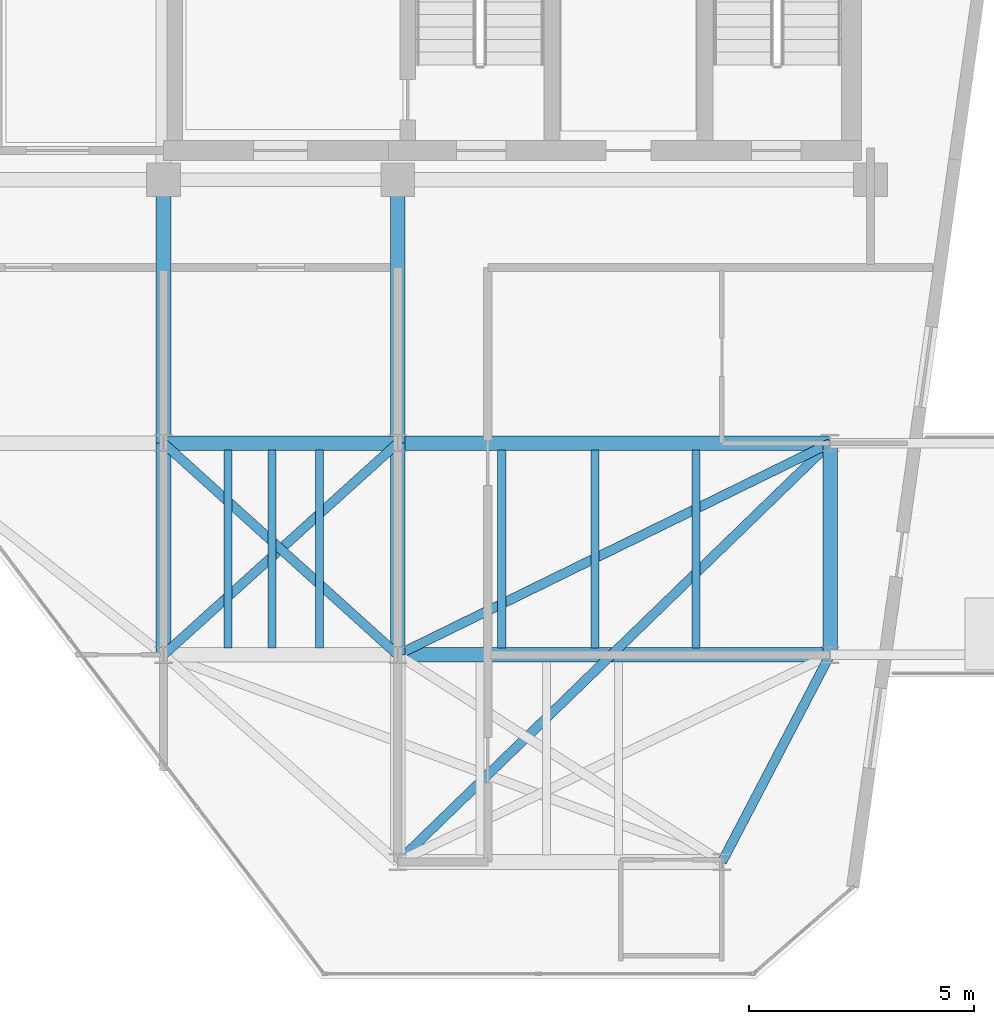
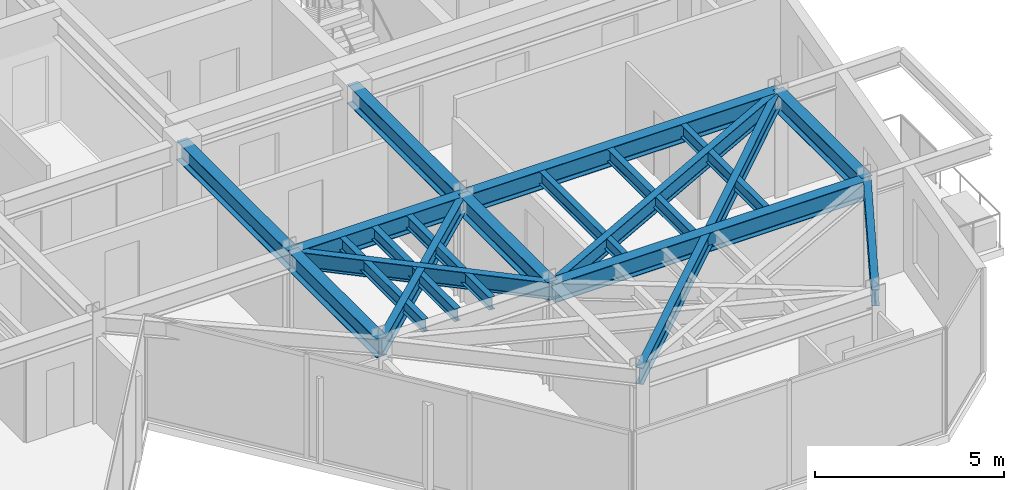
# One storey, part 10 of 16: 19 beams.
"""IFC4 building model written with IfcOpenShell, lengths in metres."""

from ifc_helpers import new_model, si_unit, direction, frame, origin, origin_2d, place, context, subcontext, project, spatial, i_section, extrude, material, material_profile, profile_set, type_object, element, save


model = new_model("IFC4")

# Units and contexts
model_context = context("Model", 3, precision=1e-05, world=origin(), true_north=direction((0.0, 1.0)))
body_context = subcontext(model_context, "Body", "Model", "MODEL_VIEW")
ifc_project = project(units=[si_unit("LENGTHUNIT", "METRE"), si_unit("AREAUNIT", "SQUARE_METRE"), si_unit("VOLUMEUNIT", "CUBIC_METRE"), si_unit("PLANEANGLEUNIT", "RADIAN"), si_unit("MASSUNIT", "GRAM", prefix="KILO")], contexts=[model_context])

# Site, building, storey
site_placement = place(None, origin())
site = spatial("IfcSite", under=ifc_project, at=site_placement, CompositionType="ELEMENT")
building_placement = place(site_placement, origin())
building = spatial("IfcBuilding", under=site, at=building_placement, Name="Kravanh Interchange Tower", CompositionType="ELEMENT")
storey_placement = place(building_placement, frame((0.0, 0.0, 300.300048828125)))
storey = spatial("IfcBuildingStorey", under=building, at=storey_placement, Name="L74", CompositionType="ELEMENT", Elevation=300.300048828125)

# Beams
ifc_material_1 = material(Name="Structural Steel S355", Category="steel")
ifc_material_profile_1 = material_profile(ifc_material_1, i_section(OverallWidth=0.323974609375, OverallDepth=0.611083984375, WebThickness=0.0126953125, FlangeThickness=0.01904296875, FilletRadius=0.02197265625, at=origin_2d()), Name="W24X104")
ifc_profile_set_1 = profile_set([ifc_material_profile_1], Name="Structural Steel S355")
beam_type_1 = type_object("IfcBeamType", Name="Floor Beam W24X104 Structural Steel S355", PredefinedType="BEAM", material=ifc_profile_set_1)
beam_1_placement = place(storey_placement, frame((50.800048828125, 31.5, 3.0595703125), z_axis=(0.0, -1.0, 0.0), x_axis=(1.0, 0.0, 0.0)))
element("IfcBeam", 1, at=beam_1_placement, inside=storey, type_object=beam_type_1, Name="L74 Primary Floor Girder 5", PredefinedType="BEAM", context=body_context, shape_type="SweptSolid", body=[
    extrude(i_section(OverallWidth=0.323974609375, OverallDepth=0.611083984375, WebThickness=0.0126953125, FlangeThickness=0.01904296875, FilletRadius=0.02197265625, at=origin_2d()), origin(), (0.0, 0.0, 1.0), 4.699951171875),
])
beam_2_placement = place(storey_placement, frame((50.800048828125, 31.5, 3.0595703125), z_axis=(1.0, 0.0, 0.0), x_axis=(0.0, 1.0, 0.0)))
element("IfcBeam", 2, at=beam_2_placement, inside=storey, type_object=beam_type_1, Name="L74 Primary Floor Girder 6", PredefinedType="BEAM", context=body_context, shape_type="SweptSolid", body=[
    extrude(i_section(OverallWidth=0.323974609375, OverallDepth=0.611083984375, WebThickness=0.0126953125, FlangeThickness=0.01904296875, FilletRadius=0.02197265625, at=origin_2d()), origin(), (0.0, 0.0, 1.0), 5.199951171875),
])
beam_3_placement = place(storey_placement, frame((50.800048828125, 31.5, 3.0595703125), z_axis=(0.0, 1.0, 0.0), x_axis=(-1.0, 0.0, 0.0)))
element("IfcBeam", 3, at=beam_3_placement, inside=storey, type_object=beam_type_1, Name="L74 Primary Floor Girder 7", PredefinedType="BEAM", context=body_context, shape_type="SweptSolid", body=[
    extrude(i_section(OverallWidth=0.323974609375, OverallDepth=0.611083984375, WebThickness=0.0126953125, FlangeThickness=0.01904296875, FilletRadius=0.02197265625, at=origin_2d()), origin(), (0.0, 0.0, 1.0), 5.85009765625),
])
beam_4_placement = place(storey_placement, frame((56.0, 31.5, 3.0595703125), z_axis=(0.0, -1.0, 0.0), x_axis=(1.0, 0.0, 0.0)))
element("IfcBeam", 4, at=beam_4_placement, inside=storey, type_object=beam_type_1, Name="L74 Primary Floor Girder 9", PredefinedType="BEAM", context=body_context, shape_type="SweptSolid", body=[
    extrude(i_section(OverallWidth=0.323974609375, OverallDepth=0.611083984375, WebThickness=0.0126953125, FlangeThickness=0.01904296875, FilletRadius=0.02197265625, at=origin_2d()), origin(), (0.0, 0.0, 1.0), 4.699951171875),
])
beam_5_placement = place(storey_placement, frame((56.0, 31.5, 3.0595703125), z_axis=(0.0, 1.0, 0.0), x_axis=(-1.0, 0.0, 0.0)))
element("IfcBeam", 5, at=beam_5_placement, inside=storey, type_object=beam_type_1, Name="L74 Primary Floor Girder 10", PredefinedType="BEAM", context=body_context, shape_type="SweptSolid", body=[
    extrude(i_section(OverallWidth=0.323974609375, OverallDepth=0.611083984375, WebThickness=0.0126953125, FlangeThickness=0.01904296875, FilletRadius=0.02197265625, at=origin_2d()), origin(), (0.0, 0.0, 1.0), 5.85009765625),
])
beam_6_placement = place(storey_placement, frame((56.0, 31.5, 3.0595703125), z_axis=(1.0, 0.0, 0.0), x_axis=(0.0, 1.0, 0.0)))
element("IfcBeam", 6, at=beam_6_placement, inside=storey, type_object=beam_type_1, Name="L74 Primary Floor Girder 12", PredefinedType="BEAM", context=body_context, shape_type="SweptSolid", body=[
    extrude(i_section(OverallWidth=0.323974609375, OverallDepth=0.611083984375, WebThickness=0.0126953125, FlangeThickness=0.01904296875, FilletRadius=0.02197265625, at=origin_2d()), origin(), (0.0, 0.0, 1.0), 9.60009765625),
])
beam_7_placement = place(storey_placement, frame((65.60009765625, 31.5, 3.0595703125), z_axis=(0.0, -1.0, 0.0), x_axis=(1.0, 0.0, 0.0)))
element("IfcBeam", 7, at=beam_7_placement, inside=storey, type_object=beam_type_1, Name="L74 Primary Floor Girder 13", PredefinedType="BEAM", context=body_context, shape_type="SweptSolid", body=[
    extrude(i_section(OverallWidth=0.323974609375, OverallDepth=0.611083984375, WebThickness=0.0126953125, FlangeThickness=0.01904296875, FilletRadius=0.02197265625, at=origin_2d()), origin(), (0.0, 0.0, 1.0), 4.699951171875),
])
beam_8_placement = place(storey_placement, frame((56.0, 26.800048828125, 3.0595703125), z_axis=(1.0, 0.0, 0.0), x_axis=(0.0, 1.0, 0.0)))
element("IfcBeam", 8, at=beam_8_placement, inside=storey, type_object=beam_type_1, Name="L74 Primary Floor Girder 24", PredefinedType="BEAM", context=body_context, shape_type="SweptSolid", body=[
    extrude(i_section(OverallWidth=0.323974609375, OverallDepth=0.611083984375, WebThickness=0.0126953125, FlangeThickness=0.01904296875, FilletRadius=0.02197265625, at=origin_2d()), origin(), (0.0, 0.0, 1.0), 9.60009765625),
])
ifc_material_2 = material(Name="Structural Steel S355", Category="steel")
ifc_material_profile_2 = material_profile(ifc_material_2, i_section(OverallWidth=0.177978515625, OverallDepth=0.406005859375, WebThickness=0.0078125, FlangeThickness=0.0126953125, FilletRadius=0.01611328125, at=origin_2d()), Name="W16X40")
ifc_profile_set_2 = profile_set([ifc_material_profile_2], Name="Structural Steel S355")
beam_type_2 = type_object("IfcBeamType", Name="Floor Joist W16X40 Structural Steel S355", PredefinedType="JOIST", material=ifc_profile_set_2)
for number, where, z_axis, x_axis, name in (
    (9, (52.22998046875, 26.95703125, 3.161865234375), (0.0, 1.0, 0.0), (-1.0, 0.0, 0.0), "L74 Secondary Floor Joist 4"),
    (10, (53.205078125, 26.95703125, 3.161865234375), (0.0, 1.0, 0.0), (-1.0, 0.0, 0.0), "L74 Secondary Floor Joist 5"),
    (11, (54.258056640625, 26.95703125, 3.161865234375), (0.0, 1.0, 0.0), (-1.0, 0.0, 0.0), "L74 Secondary Floor Joist 6"),
    (12, (58.31005859375, 26.95703125, 3.161865234375), (0.0, 1.0, 0.0), (-1.0, 0.0, 0.0), "L74 Secondary Floor Joist 7"),
    (13, (60.385009765625, 26.95703125, 3.161865234375), (0.0, 1.0, 0.0), (-1.0, 0.0, 0.0), "L74 Secondary Floor Joist 8"),
    (14, (62.6259765625, 26.95703125, 3.161865234375), (0.0, 1.0, 0.0), (-1.0, 0.0, 0.0), "L74 Secondary Floor Joist 9"),
):
    element("IfcBeam", number, at=place(storey_placement, frame(where, z_axis=z_axis, x_axis=x_axis)), inside=storey, type_object=beam_type_2, Name=name, PredefinedType="JOIST", context=body_context, shape_type="SweptSolid", body=[
        extrude(i_section(OverallWidth=0.177978515625, OverallDepth=0.406005859375, WebThickness=0.0078125, FlangeThickness=0.0126953125, FilletRadius=0.01611328125, at=origin_2d()), origin(), (0.0, 0.0, 1.0), 4.385986328125),
    ])
ifc_material_3 = material(Name="Structural Steel S355", Category="steel")
ifc_material_profile_3 = material_profile(ifc_material_3, i_section(OverallWidth=0.2099609375, OverallDepth=0.537109375, WebThickness=0.010986328125, FlangeThickness=0.017333984375, FilletRadius=0.02001953125, at=origin_2d()), Name="W21X68")
ifc_profile_set_3 = profile_set([ifc_material_profile_3], Name="Structural Steel S355")
beam_type_3 = type_object("IfcBeamType", Name="Floor Spandrel W21X68 Structural Steel S355", PredefinedType="SPANDREL", material=ifc_profile_set_3)
for number, where, z_axis, x_axis, name in (
    (15, (50.800048828125, 31.5, 3.096435546875), (0.741874009795, -0.670539300557, 0.0), (0.670539300557, 0.741874009795, 0.0), "L74 Perimeter Spandrel 8"),
    (16, (56.0, 31.5, 3.096435546875), (-0.741874009795, -0.670539300557, 0.0), (0.670539300557, -0.741874009795, 0.0), "L74 Perimeter Spandrel 11"),
):
    element("IfcBeam", number, at=place(storey_placement, frame(where, z_axis=z_axis, x_axis=x_axis)), inside=storey, type_object=beam_type_3, Name=name, PredefinedType="SPANDREL", context=body_context, shape_type="SweptSolid", body=[
        extrude(i_section(OverallWidth=0.2099609375, OverallDepth=0.537109375, WebThickness=0.010986328125, FlangeThickness=0.017333984375, FilletRadius=0.02001953125, at=origin_2d()), origin(), (0.0, 0.0, 1.0), 7.00927734375),
    ])
beam_9_placement = place(storey_placement, frame((65.60009765625, 31.5, 3.096435546875), z_axis=(-0.898141688387, -0.439706160499, 0.0), x_axis=(0.439706160499, -0.898141688387, 0.0)))
element("IfcBeam", 17, at=beam_9_placement, inside=storey, type_object=beam_type_3, Name="L74 Perimeter Spandrel 15", PredefinedType="SPANDREL", context=body_context, shape_type="SweptSolid", body=[
    extrude(i_section(OverallWidth=0.2099609375, OverallDepth=0.537109375, WebThickness=0.010986328125, FlangeThickness=0.017333984375, FilletRadius=0.02001953125, at=origin_2d()), origin(), (0.0, 0.0, 1.0), 10.68896484375),
])
beam_10_placement = place(storey_placement, frame((65.60009765625, 31.5, 3.096435546875), z_axis=(-0.718241934329, -0.695793449072, 0.0), x_axis=(0.695793449072, -0.718241934329, 0.0)))
element("IfcBeam", 18, at=beam_10_placement, inside=storey, type_object=beam_type_3, Name="L74 Perimeter Spandrel 16", PredefinedType="SPANDREL", context=body_context, shape_type="SweptSolid", body=[
    extrude(i_section(OverallWidth=0.2099609375, OverallDepth=0.537109375, WebThickness=0.010986328125, FlangeThickness=0.017333984375, FilletRadius=0.02001953125, at=origin_2d()), origin(), (0.0, 0.0, 1.0), 13.3662109375),
])
beam_11_placement = place(storey_placement, frame((65.60009765625, 26.800048828125, 3.096435546875), z_axis=(-0.462580479178, -0.886577295155, 0.0), x_axis=(0.886577295155, -0.462580479178, 0.0)))
element("IfcBeam", 19, at=beam_11_placement, inside=storey, type_object=beam_type_3, Name="L74 Perimeter Spandrel 25", PredefinedType="SPANDREL", context=body_context, shape_type="SweptSolid", body=[
    extrude(i_section(OverallWidth=0.2099609375, OverallDepth=0.537109375, WebThickness=0.010986328125, FlangeThickness=0.017333984375, FilletRadius=0.02001953125, at=origin_2d()), origin(), (0.0, 0.0, 1.0), 5.188720703125),
])

save(model, "model.ifc")
